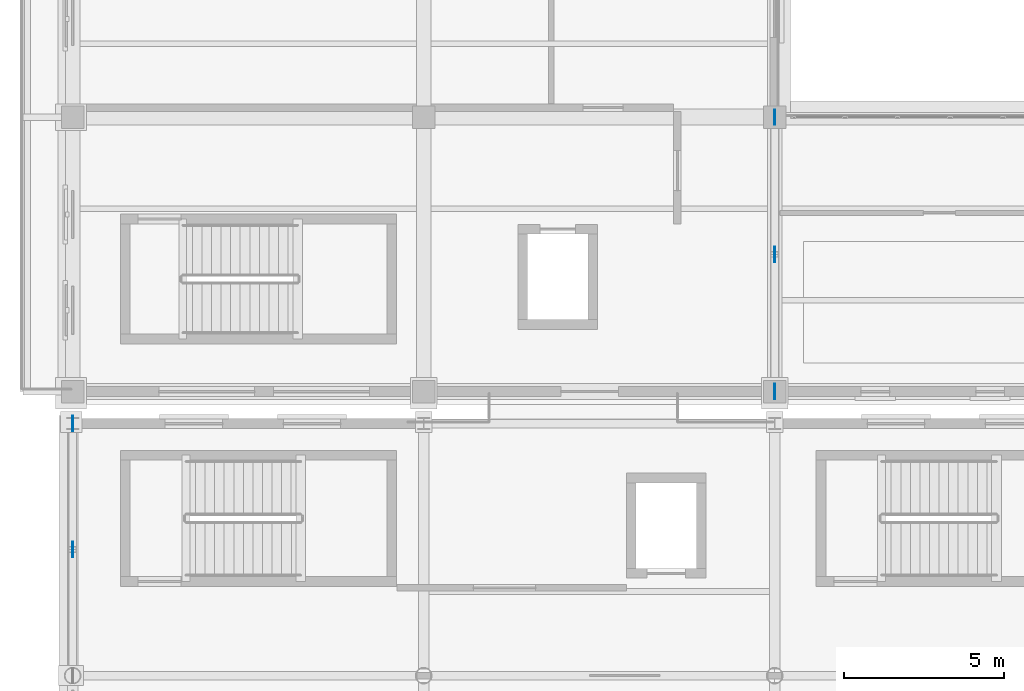
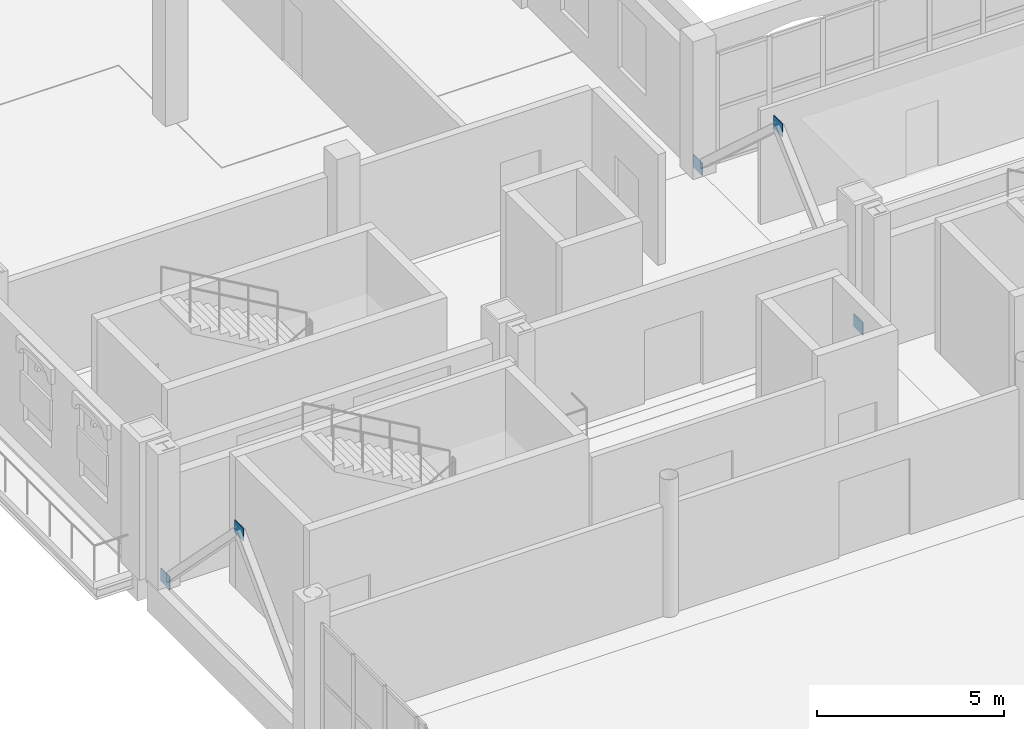
# One storey, part 114 of 156: 5 plates.
"""IFC4 building model written with IfcOpenShell, lengths in metres."""

from ifc_helpers import new_model, si_unit, direction, frame, origin, origin_2d, place, context, subcontext, project, spatial, rectangle, extrude, material, layer, layer_set, type_object, element, save


model = new_model("IFC4")

# Units and contexts
model_context = context("Model", 3, precision=1e-05, world=origin(), true_north=direction((0.0, 1.0)))
body_context = subcontext(model_context, "Body", "Model", "MODEL_VIEW")
ifc_project = project(units=[si_unit("LENGTHUNIT", "METRE"), si_unit("AREAUNIT", "SQUARE_METRE"), si_unit("VOLUMEUNIT", "CUBIC_METRE"), si_unit("PLANEANGLEUNIT", "RADIAN"), si_unit("MASSUNIT", "GRAM", prefix="KILO")], contexts=[model_context])

# Site, building, storey
site_placement = place(None, origin())
site = spatial("IfcSite", under=ifc_project, at=site_placement, CompositionType="ELEMENT")
building_placement = place(site_placement, origin())
building = spatial("IfcBuilding", under=site, at=building_placement, Name="Caurita Quay Ferry Terminal", CompositionType="ELEMENT")
storey_placement = place(building_placement, frame((0.0, 0.0, 5.39990234375)))
storey = spatial("IfcBuildingStorey", under=building, at=storey_placement, Name="L01", CompositionType="ELEMENT", Elevation=5.39990234375)

# Plates
ifc_material = material(Name="Structural plate steel ASTM A572 Gr. 50", Category="steel")
ifc_layer_1 = layer(ifc_material, 0.01806640625, Name="Structural steel connection plate 18 mm")
ifc_layer_set_1 = layer_set([ifc_layer_1], Name="Structural plate steel ASTM A572 Gr. 50")
plate_type_1 = type_object("IfcPlateType", Name="PLT-STL-18", PredefinedType="USERDEFINED", material=ifc_layer_set_1)
for number, where, z_axis, x_axis, name in (
    (1, (0.0, 70.60009765625, -0.059814453125), (0.0, 0.0, 1.0), (0.0, 1.0, 0.0), "L01 Seismic Brace Gusset 11-BSR"),
    (2, (22.0, 71.60009765625, -0.059814453125), (0.0, 0.0, 1.0), (0.0, 1.0, 0.0), "L01 Seismic Brace Gusset 18-BSL"),
    (3, (22.0, 80.199951171875, -0.059814453125), (0.0, 0.0, 1.0), (0.0, 1.0, 0.0), "L01 Seismic Brace Gusset 18-BSR"),
):
    element("IfcPlate", number, at=place(storey_placement, frame(where, z_axis=z_axis, x_axis=x_axis)), inside=storey, type_object=plate_type_1, Name=name, ObjectType="GUSSET PLATE", PredefinedType="USERDEFINED", context=body_context, shape_type="SweptSolid", body=[
        extrude(rectangle(XDim=0.47998046875, YDim=0.02490234375, at=origin_2d()), origin(), (0.0, 0.0, 1.0), 0.419921875),
    ])
ifc_layer_2 = layer(ifc_material, 0.02490234375, Name="Structural steel connection plate 25 mm")
ifc_layer_set_2 = layer_set([ifc_layer_2], Name="Structural plate steel ASTM A572 Gr. 50")
plate_type_2 = type_object("IfcPlateType", Name="PLT-STL-25", PredefinedType="USERDEFINED", material=ifc_layer_set_2)
for number, where, z_axis, x_axis, name in (
    (4, (0.0, 66.64990234375, 3.920166015625), (0.0, 0.0, 1.0), (0.0, 1.0, 0.0), "L01 Seismic Brace Gusset 11-APX"),
    (5, (22.0, 75.89990234375, 3.820068359375), (0.0, 0.0, 1.0), (0.0, 1.0, 0.0), "L01 Seismic Brace Gusset 18-APX"),
):
    element("IfcPlate", number, at=place(storey_placement, frame(where, z_axis=z_axis, x_axis=x_axis)), inside=storey, type_object=plate_type_2, Name=name, ObjectType="GUSSET PLATE", PredefinedType="USERDEFINED", context=body_context, shape_type="SweptSolid", body=[
        extrude(rectangle(XDim=0.47998046875, YDim=0.02490234375, at=origin_2d()), origin(), (0.0, 0.0, 1.0), 0.419921875),
    ])

save(model, "model.ifc")
